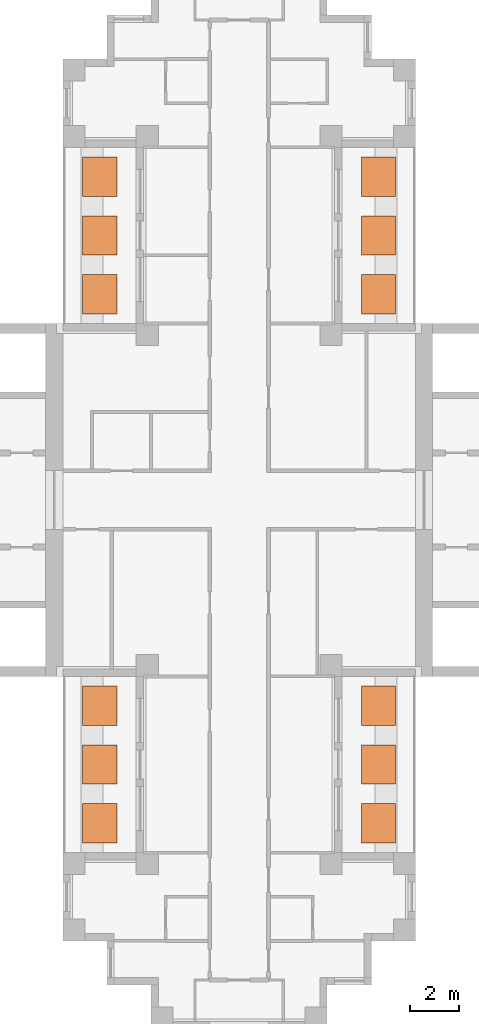
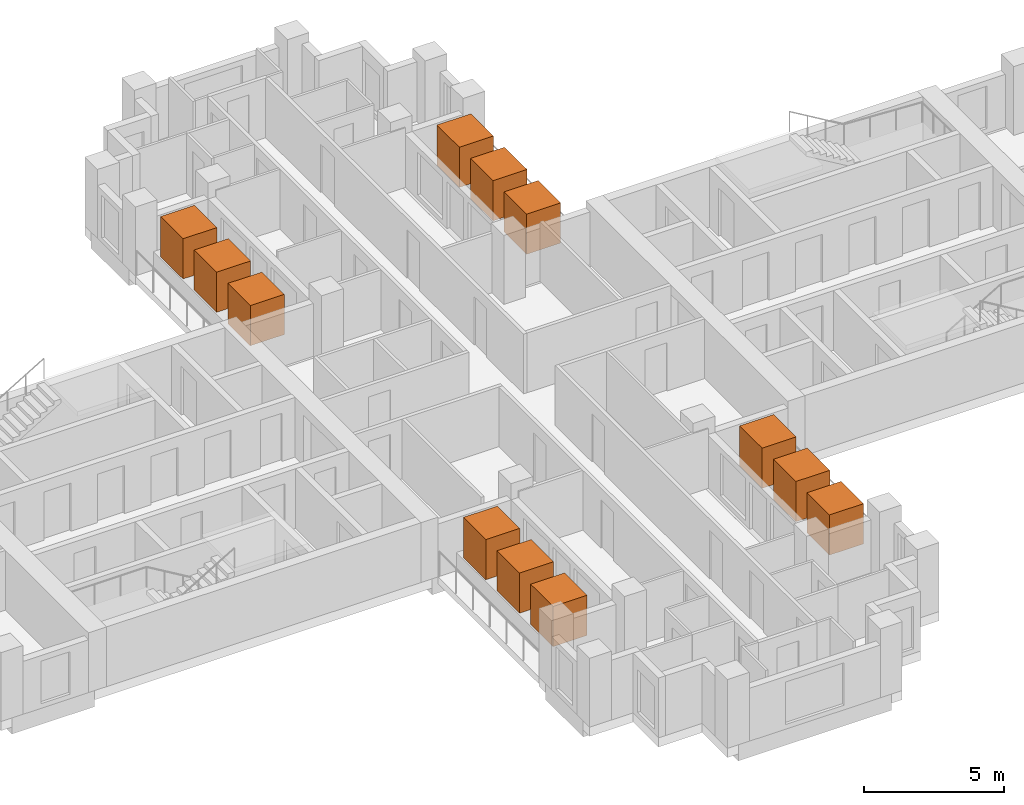
# One storey, part 10 of 10: 12 geographic elements.
"""IFC4 building model written with IfcOpenShell, lengths in metres."""

from ifc_helpers import new_model, si_unit, direction, frame, origin, origin_2d, place, context, subcontext, project, spatial, rectangle, extrude, material, element, save


model = new_model("IFC4")

# Units and contexts
model_context = context("Model", 3, precision=1e-05, world=origin(), true_north=direction((0.0, 1.0)))
body_context = subcontext(model_context, "Body", "Model", "MODEL_VIEW")
ifc_project = project(units=[si_unit("LENGTHUNIT", "METRE"), si_unit("AREAUNIT", "SQUARE_METRE"), si_unit("VOLUMEUNIT", "CUBIC_METRE"), si_unit("PLANEANGLEUNIT", "RADIAN"), si_unit("MASSUNIT", "GRAM", prefix="KILO")], contexts=[model_context])

# Site, building, storey
site_placement = place(None, origin())
site = spatial("IfcSite", under=ifc_project, at=site_placement, CompositionType="ELEMENT")
building_placement = place(site_placement, origin())
building = spatial("IfcBuilding", under=site, at=building_placement, Name="Fustian Cross Tower", CompositionType="ELEMENT")
storey_placement = place(building_placement, frame((0.0, 0.0, 225.89990234375)))
storey = spatial("IfcBuildingStorey", under=building, at=storey_placement, Name="L71", CompositionType="ELEMENT", Elevation=225.89990234375)

# Geographic elements
ifc_material = material(Name="Evergreen foliage")
for number, where, z_axis, x_axis, name in (
    (1, (5.68994140625, 8.39990234375, 0.800048828125), (0.0, 0.0, 1.0), (1.0, 0.0, 0.0), "TREE field maple"),
    (2, (5.68994140625, 10.800048828125, 0.800048828125), (0.0, 0.0, 1.0), (1.0, 0.0, 0.0), "TREE field maple"),
    (3, (5.68994140625, 13.199951171875, 0.800048828125), (0.0, 0.0, 1.0), (1.0, 0.0, 0.0), "TREE field maple"),
    (4, (-5.68994140625, 8.39990234375, 0.800048828125), (0.0, 0.0, 1.0), (1.0, 0.0, 0.0), "TREE field maple"),
    (5, (-5.68994140625, 10.800048828125, 0.800048828125), (0.0, 0.0, 1.0), (1.0, 0.0, 0.0), "TREE field maple"),
    (6, (-5.68994140625, 13.199951171875, 0.800048828125), (0.0, 0.0, 1.0), (1.0, 0.0, 0.0), "TREE field maple"),
    (7, (5.68994140625, -13.199951171875, 0.800048828125), (0.0, 0.0, 1.0), (1.0, 0.0, 0.0), "TREE field maple"),
    (8, (5.68994140625, -10.800048828125, 0.800048828125), (0.0, 0.0, 1.0), (1.0, 0.0, 0.0), "TREE field maple"),
    (9, (5.68994140625, -8.39990234375, 0.800048828125), (0.0, 0.0, 1.0), (1.0, 0.0, 0.0), "TREE field maple"),
    (10, (-5.68994140625, -13.199951171875, 0.800048828125), (0.0, 0.0, 1.0), (1.0, 0.0, 0.0), "TREE field maple"),
    (11, (-5.68994140625, -10.800048828125, 0.800048828125), (0.0, 0.0, 1.0), (1.0, 0.0, 0.0), "TREE field maple"),
    (12, (-5.68994140625, -8.39990234375, 0.800048828125), (0.0, 0.0, 1.0), (1.0, 0.0, 0.0), "TREE field maple"),
):
    element("IfcGeographicElement", number, at=place(storey_placement, frame(where, z_axis=z_axis, x_axis=x_axis)), inside=storey, material=ifc_material, Name=name, ObjectType="VEGETATION", PredefinedType="USERDEFINED", context=body_context, shape_type="SweptSolid", body=[
        extrude(rectangle(XDim=1.39990234375, YDim=1.60009765625, at=origin_2d()), origin(), (0.0, 0.0, 1.0), 1.75),
    ])

save(model, "model.ifc")
